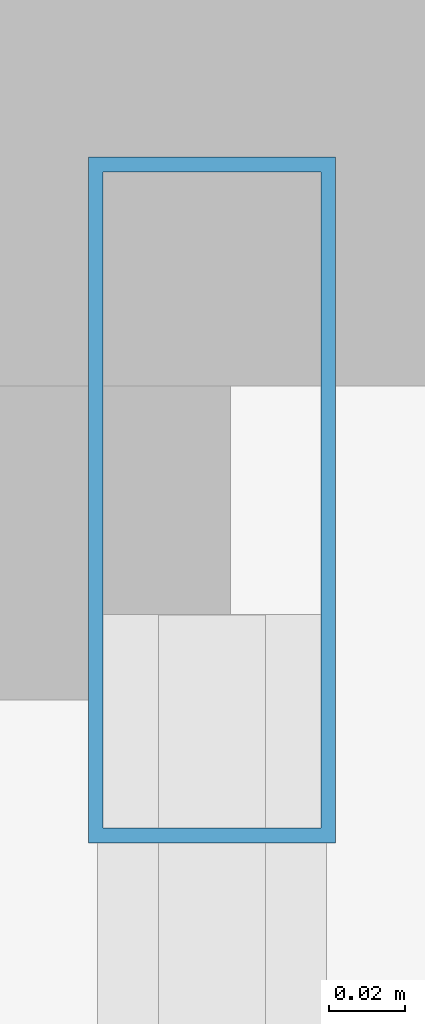
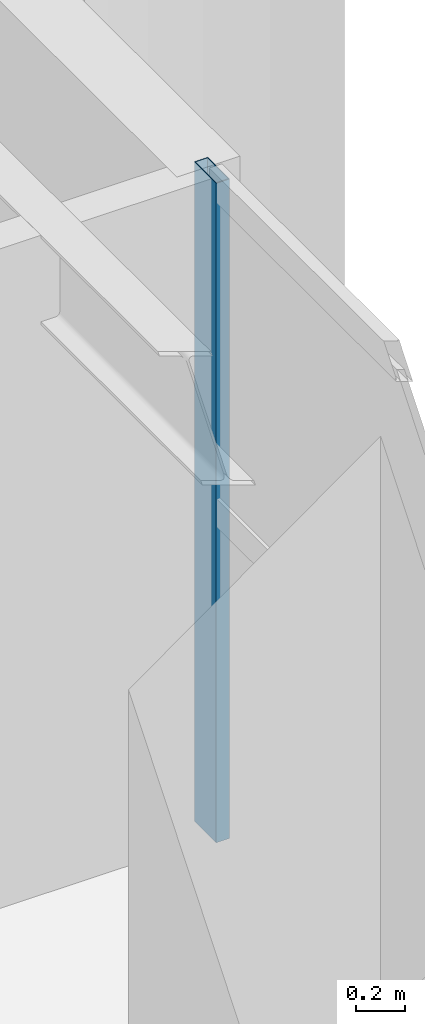
# One storey, part 12 of 22: 1 member, 1 element without a shape of its own.
"""IFC4 building model written with IfcOpenShell, lengths in metres."""

import ifcopenshell
import ifcopenshell.guid

model = None  # the IFC model being written
_history = None  # IfcOwnerHistory: only IFC2X3 demands one
_inside = {}  # id of a spatial element -> (the spatial element, [elements in it])
_under = {}  # id of a project, library or spatial element -> (it, [spatial elements below it])
_declared = {}  # id of a project -> (the project, [libraries it declares])
_typed = {}  # id of a type object -> (the type object, [elements of that type])
_made_of = {}  # id of a material, layer set ... -> (it, [elements and type objects made of it])


def new_model(schema):
    """Start an empty IFC model of exactly this schema.

    Asked for "IFC4X3", IfcOpenShell would pick the latest addendum, in which some entities
    have other attributes; the version numbers below select the first issue.
    IFC2X3 requires an IfcOwnerHistory on every rooted entity: one is made here for all.
    """
    global model, _history
    if schema == "IFC4X3":
        model = ifcopenshell.file(schema_version=(4, 3, 0, 0))
    else:
        model = ifcopenshell.file(schema=schema)
    _inside.clear()
    _under.clear()
    _declared.clear()
    _typed.clear()
    _made_of.clear()
    _history = None
    if model.schema == "IFC2X3":
        org = make("IfcOrganization", Name="unknown")
        user = make(
            "IfcPersonAndOrganization",
            ThePerson=make("IfcPerson", FamilyName="unknown"),
            TheOrganization=org,
        )
        app = make(
            "IfcApplication",
            ApplicationDeveloper=org,
            Version="unknown",
            ApplicationFullName="unknown",
            ApplicationIdentifier="unknown",
        )
        _history = make(
            "IfcOwnerHistory",
            OwningUser=user,
            OwningApplication=app,
            ChangeAction="ADDED",
            CreationDate=0,
        )
    return model


def make(cls, **values):
    """One entity of the class cls with the attributes given. An attribute that is None is left unset."""
    return model.create_entity(
        cls, **{name: value for name, value in values.items() if value is not None}
    )


def rooted(cls, **values):
    """An entity with a GlobalId (a new one), such as an element, a storey or a relation."""
    return make(cls, GlobalId=ifcopenshell.guid.new(), OwnerHistory=_history, **values)


def si_unit(unit_type, name, prefix=None):
    """IfcSIUnit, for example si_unit("LENGTHUNIT", "METRE", prefix="MILLI")."""
    return make("IfcSIUnit", UnitType=unit_type, Prefix=prefix, Name=name)


def assignment(units):
    """IfcUnitAssignment: the units of a project."""
    return None if units is None else make("IfcUnitAssignment", Units=units)


def point(xyz):
    """IfcCartesianPoint."""
    return None if xyz is None else make("IfcCartesianPoint", Coordinates=xyz)


def direction(xyz):
    """IfcDirection."""
    return None if xyz is None else make("IfcDirection", DirectionRatios=xyz)


def frame(location, z_axis=None, x_axis=None):
    """IfcAxis2Placement3D, a coordinate frame: its origin and axes. An axis left out is left unset."""
    return make(
        "IfcAxis2Placement3D",
        Location=point(location),
        Axis=direction(z_axis),
        RefDirection=direction(x_axis),
    )


def frame_2d(location, x_axis=None):
    """IfcAxis2Placement2D, a coordinate frame in the plane: its origin and x axis."""
    return make(
        "IfcAxis2Placement2D", Location=point(location), RefDirection=direction(x_axis)
    )


def origin():
    """The frame at (0, 0, 0) with its axes left unset."""
    return frame((0.0, 0.0, 0.0))


def origin_2d():
    """The frame at (0, 0) in the plane with its x axis left unset."""
    return frame_2d((0.0, 0.0))


def place(relative_to, where):
    """IfcLocalPlacement: puts the frame where relative to a parent placement (None: the world)."""
    return make(
        "IfcLocalPlacement", PlacementRelTo=relative_to, RelativePlacement=where
    )


def context(
    kind, dimensions, precision=None, world=None, true_north=None, identifier=None
):
    """IfcGeometricRepresentationContext, for example the 3D "Model" context."""
    return make(
        "IfcGeometricRepresentationContext",
        ContextIdentifier=identifier,
        ContextType=kind,
        CoordinateSpaceDimension=dimensions,
        Precision=precision,
        WorldCoordinateSystem=world,
        TrueNorth=true_north,
    )


def subcontext(parent, identifier, kind, view, scale=None):
    """IfcGeometricRepresentationSubContext, for example "Body" below "Model"."""
    return make(
        "IfcGeometricRepresentationSubContext",
        ContextIdentifier=identifier,
        ContextType=kind,
        ParentContext=parent,
        TargetScale=scale,
        TargetView=view,
    )


def project(units=None, contexts=None):
    """IfcProject with its units and contexts."""
    return rooted(
        "IfcProject",
        Name="project",
        RepresentationContexts=contexts,
        UnitsInContext=assignment(units),
    )


def spatial(cls, under=None, at=None, **own):
    """A site, building, storey or space (cls), placed at a placement, below another one or the project."""
    s = rooted(cls, ObjectPlacement=at, **own)
    if under is not None:
        _under.setdefault(under.id(), (under, []))[1].append(s)
    return s


def profile(cls, at=None, kind="AREA", **sizes):
    """A parametric profile (cls). Its sizes go by their IFC names, for example OverallWidth=200.0."""
    return make(cls, ProfileType=kind, Position=at, **sizes)


def hollow_rectangle(**sizes):
    """IfcRectangleHollowProfileDef."""
    return profile("IfcRectangleHollowProfileDef", **sizes)


def extrude(swept, where, along, depth):
    """IfcExtrudedAreaSolid: the profile swept, set in the frame where, extruded along a direction by depth."""
    return make(
        "IfcExtrudedAreaSolid",
        SweptArea=swept,
        Position=where,
        ExtrudedDirection=direction(along),
        Depth=depth,
    )


def shape(context_of_items, identifier, shape_type, items):
    """IfcShapeRepresentation: the items that make up one representation, for example the "Body"."""
    return make(
        "IfcShapeRepresentation",
        ContextOfItems=context_of_items,
        RepresentationIdentifier=identifier,
        RepresentationType=shape_type,
        Items=items,
    )


def source(mapping_origin, context_of_items, identifier, shape_type, items):
    """IfcRepresentationMap: a shape defined once, which mapped items show again and again."""
    return make(
        "IfcRepresentationMap",
        MappingOrigin=mapping_origin,
        MappedRepresentation=shape(context_of_items, identifier, shape_type, items),
    )


def transform(
    local_origin,
    x_axis=None,
    y_axis=None,
    z_axis=None,
    scale=None,
    scale2=None,
    scale3=None,
    uniform=True,
):
    """IfcCartesianTransformationOperator3D, or its non-uniform kind. x_axis, y_axis, z_axis: its Axis1, 2, 3."""
    if uniform:
        return make(
            "IfcCartesianTransformationOperator3D",
            Axis1=direction(x_axis),
            Axis2=direction(y_axis),
            LocalOrigin=point(local_origin),
            Scale=scale,
            Axis3=direction(z_axis),
        )
    return make(
        "IfcCartesianTransformationOperator3DnonUniform",
        Axis1=direction(x_axis),
        Axis2=direction(y_axis),
        LocalOrigin=point(local_origin),
        Scale=scale,
        Axis3=direction(z_axis),
        Scale2=scale2,
        Scale3=scale3,
    )


def mapped(mapping_source, mapping_target):
    """IfcMappedItem: shows the shape of a source again, moved by a transform."""
    return make(
        "IfcMappedItem", MappingSource=mapping_source, MappingTarget=mapping_target
    )


def material(Name=None, Category=None):
    """IfcMaterial."""
    return make("IfcMaterial", Name=Name, Category=Category)


def layer(
    of_material, thickness, ventilated=None, Name=None, Category=None, Priority=None
):
    """IfcMaterialLayer: one layer of a wall or slab, of a material (None: an air gap)."""
    return make(
        "IfcMaterialLayer",
        Material=of_material,
        LayerThickness=thickness,
        IsVentilated=ventilated,
        Name=Name,
        Category=Category,
        Priority=Priority,
    )


def layer_set(layers, Name=None):
    """IfcMaterialLayerSet."""
    return make("IfcMaterialLayerSet", MaterialLayers=layers, LayerSetName=Name)


def material_profile(
    of_material, cross_section, Name=None, Category=None, Priority=None
):
    """IfcMaterialProfile: a cross section and its material."""
    return make(
        "IfcMaterialProfile",
        Name=Name,
        Material=of_material,
        Profile=cross_section,
        Priority=Priority,
        Category=Category,
    )


def profile_set(profiles, Name=None, composite=None):
    """IfcMaterialProfileSet."""
    return make(
        "IfcMaterialProfileSet",
        Name=Name,
        MaterialProfiles=profiles,
        CompositeProfile=composite,
    )


def made_of(thing, what):
    """Note that an element or type object is made of a material, layer set ...; save() writes the relation."""
    if what is not None:
        _made_of.setdefault(what.id(), (what, []))[1].append(thing)
    return thing


def type_object(cls, material=None, **own):
    """A type object (cls), such as IfcWallType, which elements share."""
    return made_of(rooted(cls, **own), material)


def element(
    cls,
    number,
    at=None,
    inside=None,
    cuts=None,
    type_object=None,
    material=None,
    context=None,
    identifier="Body",
    shape_type=None,
    held_by="IfcProductDefinitionShape",
    body=None,
    shapes=None,
    **own,
):
    """One element of the class cls, such as IfcWall. Its Tag is "e" and its number.

    at: its placement. inside: the storey or other place that contains it. cuts: it is an
    opening in that element (IfcRelVoidsElement). A single representation is given by context,
    identifier, shape_type and body (its items); several are given by shapes. held_by: the class
    of the entity that holds the representations. save() writes the other relations.
    """
    e = rooted(cls, Tag="e%d" % number, ObjectPlacement=at, **own)
    if body is not None:
        shapes = [shape(context, identifier, shape_type, body)]
    if shapes is not None:
        e.Representation = make(held_by, Representations=shapes)
    if inside is not None:
        _inside.setdefault(inside.id(), (inside, []))[1].append(e)
    if cuts is not None:
        rooted(
            "IfcRelVoidsElement", RelatingBuildingElement=cuts, RelatedOpeningElement=e
        )
    if type_object is not None:
        _typed.setdefault(type_object.id(), (type_object, []))[1].append(e)
    return made_of(e, material)


def aggregate(whole, parts):
    """IfcRelAggregates: a whole, such as a stair, and the parts it consists of."""
    return rooted("IfcRelAggregates", RelatingObject=whole, RelatedObjects=parts)


def save(model, path):
    """Write the relations noted so far, then the file.

    IfcRelAggregates (storeys below a building ...), IfcRelContainedInSpatialStructure (elements
    in a storey), IfcRelDefinesByType, IfcRelAssociatesMaterial and IfcRelDeclares: one each for
    every whole, place, type object, material and project.
    """
    for whole, parts in _under.values():
        aggregate(whole, parts)
    for where, things in _inside.values():
        rooted(
            "IfcRelContainedInSpatialStructure",
            RelatedElements=things,
            RelatingStructure=where,
        )
    for kind, things in _typed.values():
        rooted("IfcRelDefinesByType", RelatedObjects=things, RelatingType=kind)
    for what, things in _made_of.values():
        rooted("IfcRelAssociatesMaterial", RelatedObjects=things, RelatingMaterial=what)
    for by, libraries in _declared.values():
        rooted("IfcRelDeclares", RelatingContext=by, RelatedDefinitions=libraries)
    model.write(path)


model = new_model("IFC4")

# Units and contexts
model_context = context("Model", 3, precision=1e-05, world=origin(), true_north=direction((0.0, 1.0)))
body_context = subcontext(model_context, "Body", "Model", "MODEL_VIEW")
ifc_project = project(units=[si_unit("LENGTHUNIT", "METRE"), si_unit("AREAUNIT", "SQUARE_METRE"), si_unit("VOLUMEUNIT", "CUBIC_METRE"), si_unit("PLANEANGLEUNIT", "RADIAN"), si_unit("MASSUNIT", "GRAM", prefix="KILO")], contexts=[model_context])

# Site, building, storey
site_placement = place(None, origin())
site = spatial("IfcSite", under=ifc_project, at=site_placement, CompositionType="ELEMENT")
building_placement = place(site_placement, origin())
building = spatial("IfcBuilding", under=site, at=building_placement, Name="Khoralis Quay Care Tower", CompositionType="ELEMENT")
storey_placement = place(building_placement, frame((0.0, 0.0, 44.10009765625)))
storey = spatial("IfcBuildingStorey", under=building, at=storey_placement, Name="L11", CompositionType="ELEMENT", Elevation=44.10009765625)

# Curtain wall, member
ifc_material = material(Name="Pale anodised aluminium", Category="aluminium")
ifc_layer = layer(ifc_material, 0.179931640625)
ifc_layer_set = layer_set([ifc_layer], Name="Pale anodised aluminium")
curtain_wall_type = type_object("IfcCurtainWallType", Name="CW-SYS-Z1", PredefinedType="NOTDEFINED", material=ifc_layer_set)
curtain_wall_placement = place(storey_placement, origin())
curtain_wall = element("IfcCurtainWall", 1, at=curtain_wall_placement, inside=storey, type_object=curtain_wall_type, Name="L11 Unitised Curtain Wall CW-L11-P1-E5", PredefinedType="NOTDEFINED")
ifc_material_profile = material_profile(ifc_material, hollow_rectangle(XDim=0.06494140625, YDim=0.179931640625, WallThickness=0.00390625, at=origin_2d()), Name="Pale anodised aluminium")
ifc_profile_set = profile_set([ifc_material_profile], Name="Pale anodised aluminium")
member_type = type_object("IfcMemberType", Name="CW-MUL-180", PredefinedType="MULLION", material=ifc_profile_set)
shared_shape = source(origin(), body_context, "Body", "SweptSolid", [
    extrude(hollow_rectangle(XDim=0.06494140625, YDim=0.179931640625, WallThickness=0.00390625, at=origin_2d()), origin(), (0.0, 0.0, 1.0), 3.31982421875),
])
member_placement = place(storey_placement, frame((47.85009765625, 32.25, 0.0), z_axis=(0.0, 0.0, 1.0), x_axis=(-1.0, 0.0, 0.0)))
member = element("IfcMember", 2, at=member_placement, type_object=member_type, Name="CW1 mullion 5", PredefinedType="MULLION", context=body_context, shape_type="MappedRepresentation", body=[
    mapped(shared_shape, transform((0.0, 0.0, 0.0), scale=1.0)),
])
aggregate(curtain_wall, [member])

save(model, "model.ifc")
